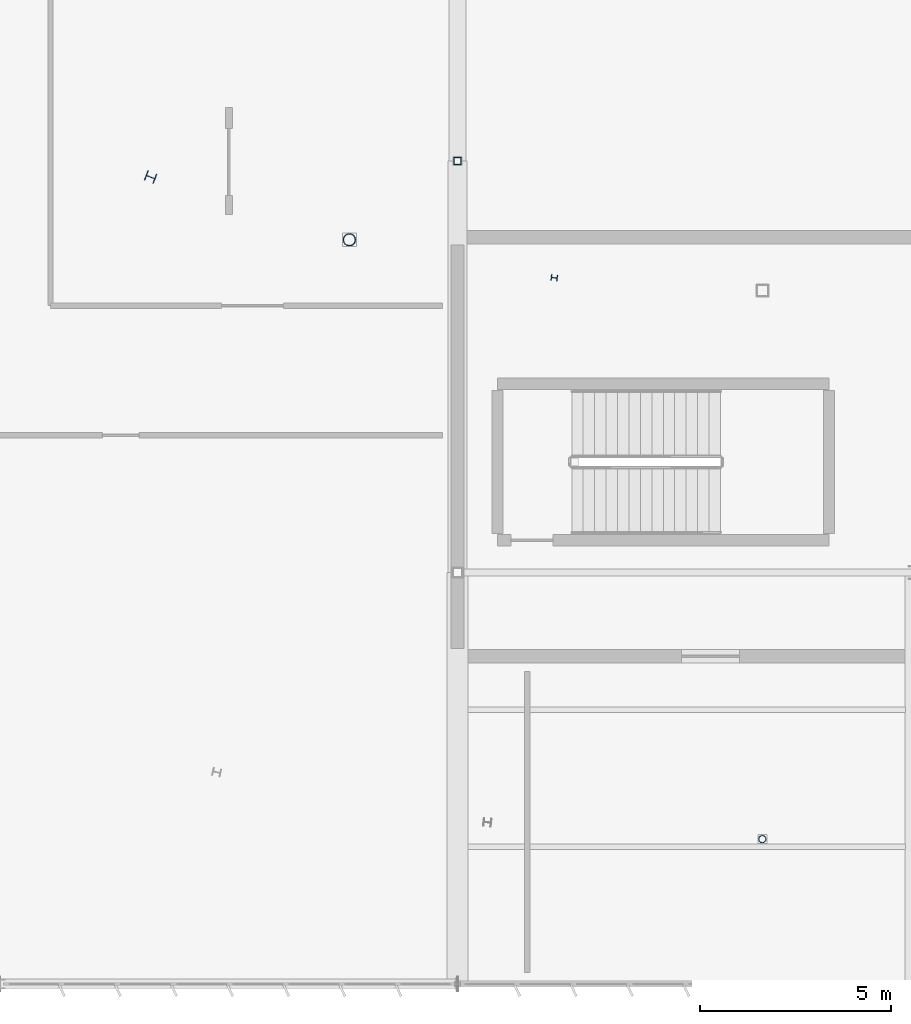
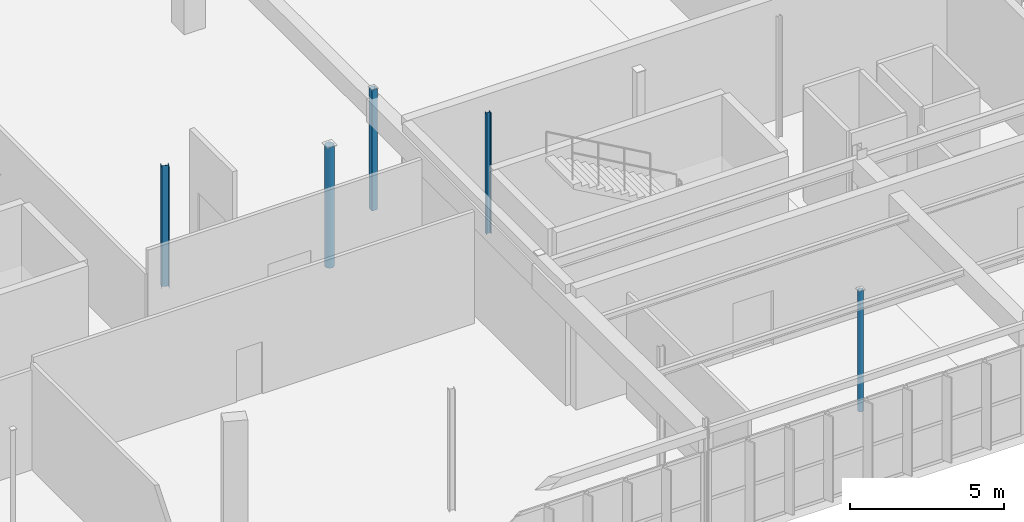
# One storey, part 12 of 199: 5 columns.
"""IFC4 building model written with IfcOpenShell, lengths in metres."""

from ifc_helpers import new_model, si_unit, direction, frame, origin, origin_2d, place, context, subcontext, project, spatial, hollow_rectangle, hollow_circle, i_section, extrude, material, material_profile, profile_set, type_object, element, save


model = new_model("IFC4")

# Units and contexts
model_context = context("Model", 3, precision=1e-05, world=origin(), true_north=direction((0.0, 1.0)))
body_context = subcontext(model_context, "Body", "Model", "MODEL_VIEW")
ifc_project = project(units=[si_unit("LENGTHUNIT", "METRE"), si_unit("AREAUNIT", "SQUARE_METRE"), si_unit("VOLUMEUNIT", "CUBIC_METRE"), si_unit("PLANEANGLEUNIT", "RADIAN"), si_unit("MASSUNIT", "GRAM", prefix="KILO")], contexts=[model_context])

# Site, building, storey
site_placement = place(None, origin())
site = spatial("IfcSite", under=ifc_project, at=site_placement, CompositionType="ELEMENT")
building_placement = place(site_placement, origin())
building = spatial("IfcBuilding", under=site, at=building_placement, Name="Tarnwether General Hospital", CompositionType="ELEMENT")
storey_placement = place(building_placement, origin())
storey = spatial("IfcBuildingStorey", under=building, at=storey_placement, Name="L00", CompositionType="ELEMENT", Elevation=0.0)

# Columns
ifc_material_1 = material(Name="Steel Grade C350L0 (350 MPa)", Category="steel")
ifc_material_profile_1 = material_profile(ifc_material_1, hollow_rectangle(XDim=0.199951171875, YDim=0.199951171875, WallThickness=0.010009765625, at=origin_2d()), Name="SHS200x200x10")
ifc_profile_set_1 = profile_set([ifc_material_profile_1], Name="Steel Grade C350L0 (350 MPa)")
column_type_1 = type_object("IfcColumnType", Name="COL-15", PredefinedType="COLUMN", material=ifc_profile_set_1)
column_1_placement = place(storey_placement, frame((84.0, 21.60009765625, 0.0), z_axis=(0.0, 0.0, 1.0), x_axis=(0.0, 1.0, 0.0)))
element("IfcColumn", 1, at=column_1_placement, inside=storey, type_object=column_type_1, Name="Column COLG-L00-8400_2160", PredefinedType="COLUMN", context=body_context, shape_type="SweptSolid", body=[
    extrude(hollow_rectangle(XDim=0.199951171875, YDim=0.199951171875, WallThickness=0.010009765625, at=origin_2d()), origin(), (0.0, 0.0, 1.0), 4.800048828125),
])
ifc_material_2 = material(Name="Steel Grade 350 (350 MPa)", Category="steel")
ifc_material_profile_2 = material_profile(ifc_material_2, i_section(OverallWidth=0.25390625, OverallDepth=0.25390625, WebThickness=0.008544921875, FlangeThickness=0.01416015625, at=origin_2d()), Name="250UC72.9")
ifc_profile_set_2 = profile_set([ifc_material_profile_2], Name="Steel Grade 350 (350 MPa)")
column_type_2 = type_object("IfcColumnType", Name="COL-24", PredefinedType="COLUMN", material=ifc_profile_set_2)
column_2_placement = place(storey_placement, frame((75.945068359375, 21.176025390625, 0.0), z_axis=(0.0, 0.0, 1.0), x_axis=(0.358367949545, 0.933580426497, 0.0)))
element("IfcColumn", 2, at=column_2_placement, inside=storey, type_object=column_type_2, Name="Column COLG-L00-7594_2118", PredefinedType="COLUMN", context=body_context, shape_type="SweptSolid", body=[
    extrude(i_section(OverallWidth=0.25390625, OverallDepth=0.25390625, WebThickness=0.008544921875, FlangeThickness=0.01416015625, at=origin_2d()), origin(), (0.0, 0.0, 1.0), 4.800048828125),
])
ifc_material_3 = material(Name="Steel Grade C350L0 (350 MPa)", Category="steel")
ifc_material_profile_3 = material_profile(ifc_material_3, hollow_circle(Radius=0.161865234375, WallThickness=0.0126953125, at=origin_2d()), Name="CHS323.9x12.7")
ifc_profile_set_3 = profile_set([ifc_material_profile_3], Name="Steel Grade C350L0 (350 MPa)")
column_type_3 = type_object("IfcColumnType", Name="COL-26", PredefinedType="COLUMN", material=ifc_profile_set_3)
column_3_placement = place(storey_placement, frame((81.162109375, 19.531005859375, 0.0), z_axis=(0.0, 0.0, 1.0), x_axis=(0.2419218956, 0.970295726276, 0.0)))
element("IfcColumn", 3, at=column_3_placement, inside=storey, type_object=column_type_3, Name="Column COLG-L00-8116_1953", PredefinedType="COLUMN", context=body_context, shape_type="SweptSolid", body=[
    extrude(hollow_circle(Radius=0.161865234375, WallThickness=0.0126953125, at=origin_2d()), origin(), (0.0, 0.0, 1.0), 4.800048828125),
])
ifc_material_4 = material(Name="Steel Grade 350 (350 MPa)", Category="steel")
ifc_material_profile_4 = material_profile(ifc_material_4, i_section(OverallWidth=0.154052734375, OverallDepth=0.162109375, WebThickness=0.008056640625, FlangeThickness=0.011474609375, at=origin_2d()), Name="150UC37.2")
ifc_profile_set_4 = profile_set([ifc_material_profile_4], Name="Steel Grade 350 (350 MPa)")
column_type_4 = type_object("IfcColumnType", Name="COL-28", PredefinedType="COLUMN", material=ifc_profile_set_4)
column_4_placement = place(storey_placement, frame((86.5400390625, 18.533935546875, 0.0), z_axis=(0.0, 0.0, 1.0), x_axis=(0.121869343405, 0.992546151641, 0.0)))
element("IfcColumn", 4, at=column_4_placement, inside=storey, type_object=column_type_4, Name="Column COLG-L00-8654_1853", PredefinedType="COLUMN", context=body_context, shape_type="SweptSolid", body=[
    extrude(i_section(OverallWidth=0.154052734375, OverallDepth=0.162109375, WebThickness=0.008056640625, FlangeThickness=0.011474609375, at=origin_2d()), origin(), (0.0, 0.0, 1.0), 4.800048828125),
])
ifc_material_5 = material(Name="Steel Grade C350L0 (350 MPa)", Category="steel")
ifc_material_profile_5 = material_profile(ifc_material_5, hollow_circle(Radius=0.096923828125, WallThickness=0.008056640625, at=origin_2d()), Name="CHS193.7x8.0")
ifc_profile_set_5 = profile_set([ifc_material_profile_5], Name="Steel Grade C350L0 (350 MPa)")
column_type_5 = type_object("IfcColumnType", Name="COL-29", PredefinedType="COLUMN", material=ifc_profile_set_5)
column_5_placement = place(storey_placement, frame((92.0, 3.800048828125, 0.0), z_axis=(0.0, 0.0, 1.0), x_axis=(0.0, 1.0, 0.0)))
element("IfcColumn", 5, at=column_5_placement, inside=storey, type_object=column_type_5, Name="Column COLG-L00-9200_380", PredefinedType="COLUMN", context=body_context, shape_type="SweptSolid", body=[
    extrude(hollow_circle(Radius=0.096923828125, WallThickness=0.008056640625, at=origin_2d()), origin(), (0.0, 0.0, 1.0), 4.800048828125),
])

save(model, "model.ifc")
